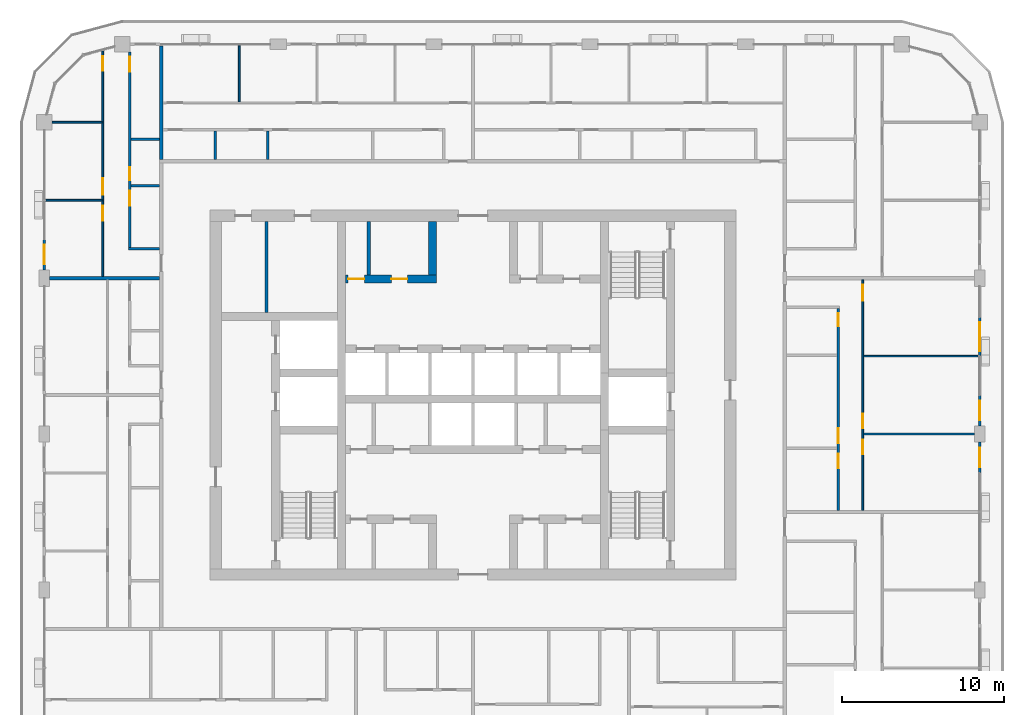
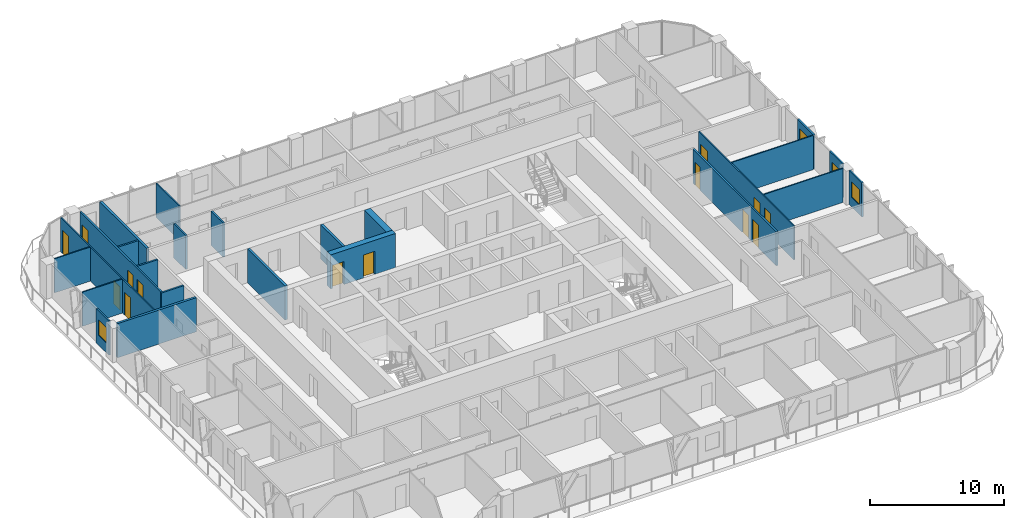
# One storey, part 13 of 22: 24 walls, 15 doors, 3 windows, 18 openings.
"""IFC4 building model written with IfcOpenShell, lengths in metres."""

import ifcopenshell
import ifcopenshell.guid

model = None  # the IFC model being written
_history = None  # IfcOwnerHistory: only IFC2X3 demands one
_inside = {}  # id of a spatial element -> (the spatial element, [elements in it])
_under = {}  # id of a project, library or spatial element -> (it, [spatial elements below it])
_declared = {}  # id of a project -> (the project, [libraries it declares])
_typed = {}  # id of a type object -> (the type object, [elements of that type])
_made_of = {}  # id of a material, layer set ... -> (it, [elements and type objects made of it])


def new_model(schema):
    """Start an empty IFC model of exactly this schema.

    Asked for "IFC4X3", IfcOpenShell would pick the latest addendum, in which some entities
    have other attributes; the version numbers below select the first issue.
    IFC2X3 requires an IfcOwnerHistory on every rooted entity: one is made here for all.
    """
    global model, _history
    if schema == "IFC4X3":
        model = ifcopenshell.file(schema_version=(4, 3, 0, 0))
    else:
        model = ifcopenshell.file(schema=schema)
    _inside.clear()
    _under.clear()
    _declared.clear()
    _typed.clear()
    _made_of.clear()
    _history = None
    if model.schema == "IFC2X3":
        org = make("IfcOrganization", Name="unknown")
        user = make(
            "IfcPersonAndOrganization",
            ThePerson=make("IfcPerson", FamilyName="unknown"),
            TheOrganization=org,
        )
        app = make(
            "IfcApplication",
            ApplicationDeveloper=org,
            Version="unknown",
            ApplicationFullName="unknown",
            ApplicationIdentifier="unknown",
        )
        _history = make(
            "IfcOwnerHistory",
            OwningUser=user,
            OwningApplication=app,
            ChangeAction="ADDED",
            CreationDate=0,
        )
    return model


def make(cls, **values):
    """One entity of the class cls with the attributes given. An attribute that is None is left unset."""
    return model.create_entity(
        cls, **{name: value for name, value in values.items() if value is not None}
    )


def rooted(cls, **values):
    """An entity with a GlobalId (a new one), such as an element, a storey or a relation."""
    return make(cls, GlobalId=ifcopenshell.guid.new(), OwnerHistory=_history, **values)


def si_unit(unit_type, name, prefix=None):
    """IfcSIUnit, for example si_unit("LENGTHUNIT", "METRE", prefix="MILLI")."""
    return make("IfcSIUnit", UnitType=unit_type, Prefix=prefix, Name=name)


def assignment(units):
    """IfcUnitAssignment: the units of a project."""
    return None if units is None else make("IfcUnitAssignment", Units=units)


def point(xyz):
    """IfcCartesianPoint."""
    return None if xyz is None else make("IfcCartesianPoint", Coordinates=xyz)


def direction(xyz):
    """IfcDirection."""
    return None if xyz is None else make("IfcDirection", DirectionRatios=xyz)


def frame(location, z_axis=None, x_axis=None):
    """IfcAxis2Placement3D, a coordinate frame: its origin and axes. An axis left out is left unset."""
    return make(
        "IfcAxis2Placement3D",
        Location=point(location),
        Axis=direction(z_axis),
        RefDirection=direction(x_axis),
    )


def frame_2d(location, x_axis=None):
    """IfcAxis2Placement2D, a coordinate frame in the plane: its origin and x axis."""
    return make(
        "IfcAxis2Placement2D", Location=point(location), RefDirection=direction(x_axis)
    )


def origin():
    """The frame at (0, 0, 0) with its axes left unset."""
    return frame((0.0, 0.0, 0.0))


def place(relative_to, where):
    """IfcLocalPlacement: puts the frame where relative to a parent placement (None: the world)."""
    return make(
        "IfcLocalPlacement", PlacementRelTo=relative_to, RelativePlacement=where
    )


def context(
    kind, dimensions, precision=None, world=None, true_north=None, identifier=None
):
    """IfcGeometricRepresentationContext, for example the 3D "Model" context."""
    return make(
        "IfcGeometricRepresentationContext",
        ContextIdentifier=identifier,
        ContextType=kind,
        CoordinateSpaceDimension=dimensions,
        Precision=precision,
        WorldCoordinateSystem=world,
        TrueNorth=true_north,
    )


def subcontext(parent, identifier, kind, view, scale=None):
    """IfcGeometricRepresentationSubContext, for example "Body" below "Model"."""
    return make(
        "IfcGeometricRepresentationSubContext",
        ContextIdentifier=identifier,
        ContextType=kind,
        ParentContext=parent,
        TargetScale=scale,
        TargetView=view,
    )


def project(units=None, contexts=None):
    """IfcProject with its units and contexts."""
    return rooted(
        "IfcProject",
        Name="project",
        RepresentationContexts=contexts,
        UnitsInContext=assignment(units),
    )


def spatial(cls, under=None, at=None, **own):
    """A site, building, storey or space (cls), placed at a placement, below another one or the project."""
    s = rooted(cls, ObjectPlacement=at, **own)
    if under is not None:
        _under.setdefault(under.id(), (under, []))[1].append(s)
    return s


def profile(cls, at=None, kind="AREA", **sizes):
    """A parametric profile (cls). Its sizes go by their IFC names, for example OverallWidth=200.0."""
    return make(cls, ProfileType=kind, Position=at, **sizes)


def rectangle(**sizes):
    """IfcRectangleProfileDef."""
    return profile("IfcRectangleProfileDef", **sizes)


def extrude(swept, where, along, depth):
    """IfcExtrudedAreaSolid: the profile swept, set in the frame where, extruded along a direction by depth."""
    return make(
        "IfcExtrudedAreaSolid",
        SweptArea=swept,
        Position=where,
        ExtrudedDirection=direction(along),
        Depth=depth,
    )


def shape(context_of_items, identifier, shape_type, items):
    """IfcShapeRepresentation: the items that make up one representation, for example the "Body"."""
    return make(
        "IfcShapeRepresentation",
        ContextOfItems=context_of_items,
        RepresentationIdentifier=identifier,
        RepresentationType=shape_type,
        Items=items,
    )


def material(Name=None, Category=None):
    """IfcMaterial."""
    return make("IfcMaterial", Name=Name, Category=Category)


def layer(
    of_material, thickness, ventilated=None, Name=None, Category=None, Priority=None
):
    """IfcMaterialLayer: one layer of a wall or slab, of a material (None: an air gap)."""
    return make(
        "IfcMaterialLayer",
        Material=of_material,
        LayerThickness=thickness,
        IsVentilated=ventilated,
        Name=Name,
        Category=Category,
        Priority=Priority,
    )


def layer_set(layers, Name=None):
    """IfcMaterialLayerSet."""
    return make("IfcMaterialLayerSet", MaterialLayers=layers, LayerSetName=Name)


def made_of(thing, what):
    """Note that an element or type object is made of a material, layer set ...; save() writes the relation."""
    if what is not None:
        _made_of.setdefault(what.id(), (what, []))[1].append(thing)
    return thing


def type_object(cls, material=None, **own):
    """A type object (cls), such as IfcWallType, which elements share."""
    return made_of(rooted(cls, **own), material)


def element(
    cls,
    number,
    at=None,
    inside=None,
    cuts=None,
    type_object=None,
    material=None,
    context=None,
    identifier="Body",
    shape_type=None,
    held_by="IfcProductDefinitionShape",
    body=None,
    shapes=None,
    **own,
):
    """One element of the class cls, such as IfcWall. Its Tag is "e" and its number.

    at: its placement. inside: the storey or other place that contains it. cuts: it is an
    opening in that element (IfcRelVoidsElement). A single representation is given by context,
    identifier, shape_type and body (its items); several are given by shapes. held_by: the class
    of the entity that holds the representations. save() writes the other relations.
    """
    e = rooted(cls, Tag="e%d" % number, ObjectPlacement=at, **own)
    if body is not None:
        shapes = [shape(context, identifier, shape_type, body)]
    if shapes is not None:
        e.Representation = make(held_by, Representations=shapes)
    if inside is not None:
        _inside.setdefault(inside.id(), (inside, []))[1].append(e)
    if cuts is not None:
        rooted(
            "IfcRelVoidsElement", RelatingBuildingElement=cuts, RelatedOpeningElement=e
        )
    if type_object is not None:
        _typed.setdefault(type_object.id(), (type_object, []))[1].append(e)
    return made_of(e, material)


def fill(opening, filler):
    """IfcRelFillsElement: the door or window that sits in an opening."""
    return rooted(
        "IfcRelFillsElement",
        RelatingOpeningElement=opening,
        RelatedBuildingElement=filler,
    )


def aggregate(whole, parts):
    """IfcRelAggregates: a whole, such as a stair, and the parts it consists of."""
    return rooted("IfcRelAggregates", RelatingObject=whole, RelatedObjects=parts)


def save(model, path):
    """Write the relations noted so far, then the file.

    IfcRelAggregates (storeys below a building ...), IfcRelContainedInSpatialStructure (elements
    in a storey), IfcRelDefinesByType, IfcRelAssociatesMaterial and IfcRelDeclares: one each for
    every whole, place, type object, material and project.
    """
    for whole, parts in _under.values():
        aggregate(whole, parts)
    for where, things in _inside.values():
        rooted(
            "IfcRelContainedInSpatialStructure",
            RelatedElements=things,
            RelatingStructure=where,
        )
    for kind, things in _typed.values():
        rooted("IfcRelDefinesByType", RelatedObjects=things, RelatingType=kind)
    for what, things in _made_of.values():
        rooted("IfcRelAssociatesMaterial", RelatedObjects=things, RelatingMaterial=what)
    for by, libraries in _declared.values():
        rooted("IfcRelDeclares", RelatingContext=by, RelatedDefinitions=libraries)
    model.write(path)


model = new_model("IFC4")

# Units and contexts
model_context = context("Model", 3, precision=1e-05, world=origin(), true_north=direction((0.0, 1.0)))
body_context = subcontext(model_context, "Body", "Model", "MODEL_VIEW")
ifc_project = project(units=[si_unit("LENGTHUNIT", "METRE"), si_unit("AREAUNIT", "SQUARE_METRE"), si_unit("VOLUMEUNIT", "CUBIC_METRE"), si_unit("PLANEANGLEUNIT", "RADIAN"), si_unit("MASSUNIT", "GRAM", prefix="KILO")], contexts=[model_context])

# Site, building, storey
site_placement = place(None, origin())
site = spatial("IfcSite", under=ifc_project, at=site_placement, CompositionType="ELEMENT")
building_placement = place(site_placement, origin())
building = spatial("IfcBuilding", under=site, at=building_placement, Name="Madar Terraces", CompositionType="ELEMENT")
storey_placement = place(building_placement, frame((0.0, 0.0, 199.89990234375)))
storey = spatial("IfcBuildingStorey", under=building, at=storey_placement, Name="L52", CompositionType="ELEMENT", Elevation=199.89990234375)

# Wall, openings, doors
ifc_material_1 = material(Name="Concrete C60/75", Category="concrete")
ifc_layer_1 = layer(ifc_material_1, 0.5)
ifc_layer_set_1 = layer_set([ifc_layer_1], Name="Concrete C60/75 (CIW4 RC wall 500)")
wall_type_1 = type_object("IfcWallType", Name="CIW4 RC wall 500", PredefinedType="SHEAR", material=ifc_layer_set_1)
wall_1_placement = place(storey_placement, frame((23.35009765625, 33.550048828125, 0.0), z_axis=(0.0, 0.0, 1.0), x_axis=(1.0, 0.0, 0.0)))
wall_1 = element("IfcWall", 1, at=wall_1_placement, inside=storey, type_object=wall_type_1, Name="CORE SHAFT WALL", PredefinedType="SHEAR", context=body_context, shape_type="SweptSolid", body=[
    extrude(rectangle(XDim=5.599853515625, YDim=0.5, at=frame_2d((2.7998046875, 0.0))), origin(), (0.0, 0.0, 1.0), 3.10009765625),
])
opening_1_placement = place(wall_1_placement, frame((0.1640625, 0.0, 0.0)))
opening_1 = element("IfcOpeningElement", 2, at=opening_1_placement, cuts=wall_1, Name="Opening KD2", PredefinedType="OPENING", context=body_context, shape_type="SweptSolid", body=[
    extrude(rectangle(XDim=1.0, YDim=2.10009765625, at=frame_2d((0.5, 1.050048828125))), frame((0.0, 0.260009765625, 0.0), z_axis=(0.0, -1.0, 0.0), x_axis=(1.0, 0.0, 0.0)), (0.0, 0.0, 1.0), 0.52001953125),
])
opening_2_placement = place(wall_1_placement, frame((2.81396484375, 0.0, 0.0)))
opening_2 = element("IfcOpeningElement", 3, at=opening_2_placement, cuts=wall_1, Name="Opening KD2", PredefinedType="OPENING", context=body_context, shape_type="SweptSolid", body=[
    extrude(rectangle(XDim=1.0, YDim=2.10009765625, at=frame_2d((0.5, 1.050048828125))), frame((0.0, 0.260009765625, 0.0), z_axis=(0.0, -1.0, 0.0), x_axis=(1.0, 0.0, 0.0)), (0.0, 0.0, 1.0), 0.52001953125),
])
ifc_material_2 = material(Name="Steel door leaf", Category="steel")
door_type_1 = type_object("IfcDoorType", Name="Service room door 1000 x 2100", OperationType="NOTDEFINED", PredefinedType="DOOR", material=ifc_material_2)
door_1_placement = place(opening_1_placement, frame((1.0, 0.0, 0.0), z_axis=(0.0, 0.0, 1.0), x_axis=(-1.0, 0.0, 0.0)))
door_1 = element("IfcDoor", 4, at=door_1_placement, inside=storey, type_object=door_type_1, Name="SERVICE ROOM DOOR", OperationType="SINGLE_SWING_LEFT", OverallHeight=2.10009765625, OverallWidth=1.0, PredefinedType="DOOR", context=body_context, shape_type="SweptSolid", body=[
    extrude(rectangle(XDim=1.0, YDim=2.10009765625, at=frame_2d((0.5, 1.050048828125))), frame((0.0, 0.02490234375, 0.0), z_axis=(0.0, -1.0, 0.0), x_axis=(1.0, 0.0, 0.0)), (0.0, 0.0, 1.0), 0.050048828125),
])
fill(opening_1, door_1)
door_2_placement = place(opening_2_placement, frame((1.0, 0.0, 0.0), z_axis=(0.0, 0.0, 1.0), x_axis=(-1.0, 0.0, 0.0)))
door_2 = element("IfcDoor", 5, at=door_2_placement, inside=storey, type_object=door_type_1, Name="SERVICE ROOM DOOR", OperationType="SINGLE_SWING_RIGHT", OverallHeight=2.10009765625, OverallWidth=1.0, PredefinedType="DOOR", context=body_context, shape_type="SweptSolid", body=[
    extrude(rectangle(XDim=1.0, YDim=2.10009765625, at=frame_2d((0.5, 1.050048828125))), frame((0.0, 0.02490234375, 0.0), z_axis=(0.0, -1.0, 0.0), x_axis=(1.0, 0.0, 0.0)), (0.0, 0.0, 1.0), 0.050048828125),
])
fill(opening_2, door_2)

# Walls
wall_2_placement = place(storey_placement, frame((28.699951171875, 33.800048828125, 0.0), z_axis=(0.0, 0.0, 1.0), x_axis=(0.0, 1.0, 0.0)))
element("IfcWall", 6, at=wall_2_placement, inside=storey, type_object=wall_type_1, Name="CORE SHAFT WALL", PredefinedType="SHEAR", context=body_context, shape_type="SweptSolid", body=[
    extrude(rectangle(XDim=3.300048828125, YDim=0.5, at=frame_2d((1.64990234375, 0.0))), origin(), (0.0, 0.0, 1.0), 3.10009765625),
])
ifc_material_3 = material(Name="Masonry blockwork", Category="masonry")
ifc_layer_2 = layer(ifc_material_3, 0.199951171875)
ifc_layer_set_2 = layer_set([ifc_layer_2], Name="Core partition 200 blockwork")
wall_type_2 = type_object("IfcWallType", Name="Core partition 200 blockwork", PredefinedType="PARTITIONING", material=ifc_layer_set_2)
wall_3_placement = place(storey_placement, frame((18.488525390625, 31.5, 0.0), z_axis=(0.0, 0.0, 1.0), x_axis=(0.0, 1.0, 0.0)))
element("IfcWall", 7, at=wall_3_placement, inside=storey, type_object=wall_type_2, Name="SERVICE ROOM PARTITION", PredefinedType="PARTITIONING", context=body_context, shape_type="SweptSolid", body=[
    extrude(rectangle(XDim=5.60009765625, YDim=0.199951171875, at=frame_2d((2.800048828125, 0.0))), origin(), (0.0, 0.0, 1.0), 3.10009765625),
])
wall_4_placement = place(storey_placement, frame((24.778076171875, 33.800048828125, 0.0), z_axis=(0.0, 0.0, 1.0), x_axis=(0.0, 1.0, 0.0)))
element("IfcWall", 8, at=wall_4_placement, inside=storey, type_object=wall_type_2, Name="SERVICE ROOM PARTITION", PredefinedType="PARTITIONING", context=body_context, shape_type="SweptSolid", body=[
    extrude(rectangle(XDim=3.300048828125, YDim=0.199951171875, at=frame_2d((1.64990234375, 0.0))), origin(), (0.0, 0.0, 1.0), 3.10009765625),
])

# Wall, opening, window
ifc_material_4 = material(Name="Aluminium composite panel, black, over insulated backing", Category="aluminium")
ifc_layer_3 = layer(ifc_material_4, 0.14990234375)
ifc_layer_set_3 = layer_set([ifc_layer_3], Name="Facade bay panel 150")
wall_type_3 = type_object("IfcWallType", Name="Facade bay panel 150", PredefinedType="SOLIDWALL", material=ifc_layer_set_3)
wall_5_placement = place(storey_placement, frame((62.39990234375, 21.60009765625, 0.0), z_axis=(0.0, 0.0, 1.0), x_axis=(0.0, 1.0, 0.0)))
wall_5 = element("IfcWall", 9, at=wall_5_placement, inside=storey, type_object=wall_type_3, Name="Facade bay panel", PredefinedType="SOLIDWALL", context=body_context, shape_type="SweptSolid", body=[
    extrude(rectangle(XDim=1.89990234375, YDim=0.14990234375, at=frame_2d((0.949951171875, 0.0))), origin(), (0.0, 0.0, 1.0), 3.10009765625),
])
opening_3_placement = place(wall_5_placement, frame((0.35009765625, 0.0, 0.89990234375)))
opening_3 = element("IfcOpeningElement", 10, at=opening_3_placement, cuts=wall_5, Name="Opening W1", PredefinedType="OPENING", context=body_context, shape_type="SweptSolid", body=[
    extrude(rectangle(XDim=1.199951171875, YDim=1.39990234375, at=frame_2d((0.60009765625, 0.699951171875))), frame((0.0, 0.0849609375, 0.0), z_axis=(0.0, -1.0, 0.0), x_axis=(1.0, 0.0, 0.0)), (0.0, 0.0, 1.0), 0.169921875),
])
ifc_material_5 = material(Name="Glass, clear, with black aluminium frame", Category="aluminium")
window_type = type_object("IfcWindowType", Name="Vent window 1200 x 1400", PartitioningType="SINGLE_PANEL", PredefinedType="WINDOW", material=ifc_material_5)
window_1_placement = place(opening_3_placement, origin())
window_1 = element("IfcWindow", 11, at=window_1_placement, inside=storey, type_object=window_type, Name="Operable vent window", OverallHeight=1.39990234375, OverallWidth=1.199951171875, PartitioningType="SINGLE_PANEL", PredefinedType="WINDOW", context=body_context, shape_type="SweptSolid", body=[
    extrude(rectangle(XDim=1.199951171875, YDim=1.39990234375, at=frame_2d((0.60009765625, 0.699951171875))), frame((0.0, 0.030029296875, 0.0), z_axis=(0.0, -1.0, 0.0), x_axis=(1.0, 0.0, 0.0)), (0.0, 0.0, 1.0), 0.06005859375),
])
fill(opening_3, window_1)

wall_6_placement = place(storey_placement, frame((62.39990234375, 24.5, 0.0), z_axis=(0.0, 0.0, 1.0), x_axis=(0.0, 1.0, 0.0)))
wall_6 = element("IfcWall", 12, at=wall_6_placement, inside=storey, type_object=wall_type_3, Name="Facade bay panel", PredefinedType="SOLIDWALL", context=body_context, shape_type="SweptSolid", body=[
    extrude(rectangle(XDim=1.89990234375, YDim=0.14990234375, at=frame_2d((0.949951171875, 0.0))), origin(), (0.0, 0.0, 1.0), 3.10009765625),
])
opening_4_placement = place(wall_6_placement, frame((0.35009765625, 0.0, 0.89990234375)))
opening_4 = element("IfcOpeningElement", 13, at=opening_4_placement, cuts=wall_6, Name="Opening W1", PredefinedType="OPENING", context=body_context, shape_type="SweptSolid", body=[
    extrude(rectangle(XDim=1.199951171875, YDim=1.39990234375, at=frame_2d((0.60009765625, 0.699951171875))), frame((0.0, 0.0849609375, 0.0), z_axis=(0.0, -1.0, 0.0), x_axis=(1.0, 0.0, 0.0)), (0.0, 0.0, 1.0), 0.169921875),
])
window_2_placement = place(opening_4_placement, origin())
window_2 = element("IfcWindow", 14, at=window_2_placement, inside=storey, type_object=window_type, Name="Operable vent window", OverallHeight=1.39990234375, OverallWidth=1.199951171875, PartitioningType="SINGLE_PANEL", PredefinedType="WINDOW", context=body_context, shape_type="SweptSolid", body=[
    extrude(rectangle(XDim=1.199951171875, YDim=1.39990234375, at=frame_2d((0.60009765625, 0.699951171875))), frame((0.0, 0.030029296875, 0.0), z_axis=(0.0, -1.0, 0.0), x_axis=(1.0, 0.0, 0.0)), (0.0, 0.0, 1.0), 0.06005859375),
])
fill(opening_4, window_2)

# Wall, opening, door
wall_7_placement = place(storey_placement, frame((62.39990234375, 28.800048828125, 0.0), z_axis=(0.0, 0.0, 1.0), x_axis=(0.0, 1.0, 0.0)))
wall_7 = element("IfcWall", 15, at=wall_7_placement, inside=storey, type_object=wall_type_3, Name="Facade bay panel", PredefinedType="SOLIDWALL", context=body_context, shape_type="SweptSolid", body=[
    extrude(rectangle(XDim=2.39990234375, YDim=0.14990234375, at=frame_2d((1.199951171875, 0.0))), origin(), (0.0, 0.0, 1.0), 3.10009765625),
])
opening_5_placement = place(wall_7_placement, frame((0.300048828125, 0.0, 0.0)))
opening_5 = element("IfcOpeningElement", 16, at=opening_5_placement, cuts=wall_7, Name="Opening ED1", PredefinedType="OPENING", context=body_context, shape_type="SweptSolid", body=[
    extrude(rectangle(XDim=1.800048828125, YDim=2.39990234375, at=frame_2d((0.89990234375, 1.199951171875))), frame((0.0, 0.0849609375, 0.0), z_axis=(0.0, -1.0, 0.0), x_axis=(1.0, 0.0, 0.0)), (0.0, 0.0, 1.0), 0.169921875),
])
ifc_material_6 = material(Name="Glass, clear, with black aluminium frame", Category="aluminium")
door_type_2 = type_object("IfcDoorType", Name="Balcony and terrace sliding door 1800 x 2400", OperationType="SLIDING_TO_LEFT", PredefinedType="DOOR", material=ifc_material_6)
door_3_placement = place(opening_5_placement, origin())
door_3 = element("IfcDoor", 17, at=door_3_placement, inside=storey, type_object=door_type_2, Name="Balcony door", OperationType="SLIDING_TO_RIGHT", OverallHeight=2.39990234375, OverallWidth=1.800048828125, PredefinedType="DOOR", context=body_context, shape_type="SweptSolid", body=[
    extrude(rectangle(XDim=1.800048828125, YDim=2.39990234375, at=frame_2d((0.89990234375, 1.199951171875))), frame((0.0, 0.02490234375, 0.0), z_axis=(0.0, -1.0, 0.0), x_axis=(1.0, 0.0, 0.0)), (0.0, 0.0, 1.0), 0.050048828125),
])
fill(opening_5, door_3)

# Wall, opening, window
wall_8_placement = place(storey_placement, frame((4.800048828125, 36.0, 0.0), z_axis=(0.0, 0.0, 1.0), x_axis=(0.0, -1.0, 0.0)))
wall_8 = element("IfcWall", 18, at=wall_8_placement, inside=storey, type_object=wall_type_3, Name="Facade bay panel", PredefinedType="SOLIDWALL", context=body_context, shape_type="SweptSolid", body=[
    extrude(rectangle(XDim=1.89990234375, YDim=0.14990234375, at=frame_2d((0.949951171875, 0.0))), origin(), (0.0, 0.0, 1.0), 3.10009765625),
])
opening_6_placement = place(wall_8_placement, frame((0.35009765625, 0.0, 0.89990234375)))
opening_6 = element("IfcOpeningElement", 19, at=opening_6_placement, cuts=wall_8, Name="Opening W1", PredefinedType="OPENING", context=body_context, shape_type="SweptSolid", body=[
    extrude(rectangle(XDim=1.199951171875, YDim=1.39990234375, at=frame_2d((0.60009765625, 0.699951171875))), frame((0.0, 0.0849609375, 0.0), z_axis=(0.0, -1.0, 0.0), x_axis=(1.0, 0.0, 0.0)), (0.0, 0.0, 1.0), 0.169921875),
])
window_3_placement = place(opening_6_placement, origin())
window_3 = element("IfcWindow", 20, at=window_3_placement, inside=storey, type_object=window_type, Name="Operable vent window", OverallHeight=1.39990234375, OverallWidth=1.199951171875, PartitioningType="SINGLE_PANEL", PredefinedType="WINDOW", context=body_context, shape_type="SweptSolid", body=[
    extrude(rectangle(XDim=1.199951171875, YDim=1.39990234375, at=frame_2d((0.60009765625, 0.699951171875))), frame((0.0, 0.030029296875, 0.0), z_axis=(0.0, -1.0, 0.0), x_axis=(1.0, 0.0, 0.0)), (0.0, 0.0, 1.0), 0.06005859375),
])
fill(opening_6, window_3)

# Walls
ifc_material_7 = material(Name="Gypsum board on steel studs", Category="steel")
ifc_layer_4 = layer(ifc_material_7, 0.10009765625)
ifc_layer_set_4 = layer_set([ifc_layer_4], Name="Flat partition 100")
wall_type_4 = type_object("IfcWallType", Name="Flat partition 100", PredefinedType="PARTITIONING", material=ifc_layer_set_4)
wall_9_placement = place(storey_placement, frame((55.25, 28.800048828125, 0.0), z_axis=(0.0, 0.0, 1.0), x_axis=(1.0, 0.0, 0.0)))
element("IfcWall", 21, at=wall_9_placement, inside=storey, type_object=wall_type_4, Name="Flat partition 100", PredefinedType="PARTITIONING", context=body_context, shape_type="SweptSolid", body=[
    extrude(rectangle(XDim=7.050048828125, YDim=0.10009765625, at=frame_2d((3.52490234375, 0.0))), origin(), (0.0, 0.0, 1.0), 3.10009765625),
])
wall_10_placement = place(storey_placement, frame((55.25, 24.0, 0.0), z_axis=(0.0, 0.0, 1.0), x_axis=(1.0, 0.0, 0.0)))
element("IfcWall", 22, at=wall_10_placement, inside=storey, type_object=wall_type_4, Name="Flat partition 100", PredefinedType="PARTITIONING", context=body_context, shape_type="SweptSolid", body=[
    extrude(rectangle(XDim=6.824951171875, YDim=0.10009765625, at=frame_2d((3.41259765625, 0.0))), origin(), (0.0, 0.0, 1.0), 3.10009765625),
])

# Wall, openings, doors
wall_11_placement = place(storey_placement, frame((55.199951171875, 33.5, 0.0), z_axis=(0.0, 0.0, 1.0), x_axis=(0.0, -1.0, 0.0)))
wall_11 = element("IfcWall", 23, at=wall_11_placement, inside=storey, type_object=wall_type_4, Name="Flat partition 100", PredefinedType="PARTITIONING", context=body_context, shape_type="SweptSolid", body=[
    extrude(rectangle(XDim=14.199951171875, YDim=0.10009765625, at=frame_2d((7.10009765625, 0.0))), origin(), (0.0, 0.0, 1.0), 3.10009765625),
])
opening_7_placement = place(wall_11_placement, frame((0.300048828125, 0.0, 0.0)))
opening_7 = element("IfcOpeningElement", 24, at=opening_7_placement, cuts=wall_11, Name="Opening D3", PredefinedType="OPENING", context=body_context, shape_type="SweptSolid", body=[
    extrude(rectangle(XDim=1.0, YDim=2.10009765625, at=frame_2d((0.5, 1.050048828125))), frame((0.0, 0.06005859375, 0.0), z_axis=(0.0, -1.0, 0.0), x_axis=(1.0, 0.0, 0.0)), (0.0, 0.0, 1.0), 0.1201171875),
])
opening_8_placement = place(wall_11_placement, frame((8.25, 0.0, 0.0)))
opening_8 = element("IfcOpeningElement", 25, at=opening_8_placement, cuts=wall_11, Name="Opening D2", PredefinedType="OPENING", context=body_context, shape_type="SweptSolid", body=[
    extrude(rectangle(XDim=0.89990234375, YDim=2.10009765625, at=frame_2d((0.449951171875, 1.050048828125))), frame((0.0, 0.06005859375, 0.0), z_axis=(0.0, -1.0, 0.0), x_axis=(1.0, 0.0, 0.0)), (0.0, 0.0, 1.0), 0.1201171875),
])
opening_9_placement = place(wall_11_placement, frame((9.85009765625, 0.0, 0.0)))
opening_9 = element("IfcOpeningElement", 26, at=opening_9_placement, cuts=wall_11, Name="Opening D2", PredefinedType="OPENING", context=body_context, shape_type="SweptSolid", body=[
    extrude(rectangle(XDim=0.89990234375, YDim=2.10009765625, at=frame_2d((0.449951171875, 1.050048828125))), frame((0.0, 0.06005859375, 0.0), z_axis=(0.0, -1.0, 0.0), x_axis=(1.0, 0.0, 0.0)), (0.0, 0.0, 1.0), 0.1201171875),
])
ifc_material_8 = material(Name="Timber door leaf", Category="wood")
door_type_3 = type_object("IfcDoorType", Name="Flat living room door 1000", OperationType="NOTDEFINED", PredefinedType="DOOR", material=ifc_material_8)
door_4_placement = place(opening_7_placement, origin())
door_4 = element("IfcDoor", 27, at=door_4_placement, inside=storey, type_object=door_type_3, Name="Flat living room door 1000", OperationType="SINGLE_SWING_LEFT", OverallHeight=2.10009765625, OverallWidth=1.0, PredefinedType="DOOR", context=body_context, shape_type="SweptSolid", body=[
    extrude(rectangle(XDim=1.0, YDim=2.10009765625, at=frame_2d((0.5, 1.050048828125))), frame((0.0, 0.02490234375, 0.0), z_axis=(0.0, -1.0, 0.0), x_axis=(1.0, 0.0, 0.0)), (0.0, 0.0, 1.0), 0.050048828125),
])
fill(opening_7, door_4)
ifc_material_9 = material(Name="Timber door leaf", Category="wood")
door_type_4 = type_object("IfcDoorType", Name="Flat room door 900", OperationType="NOTDEFINED", PredefinedType="DOOR", material=ifc_material_9)
door_5_placement = place(opening_8_placement, origin())
door_5 = element("IfcDoor", 28, at=door_5_placement, inside=storey, type_object=door_type_4, Name="Flat room door 900", OperationType="SINGLE_SWING_RIGHT", OverallHeight=2.10009765625, OverallWidth=0.89990234375, PredefinedType="DOOR", context=body_context, shape_type="SweptSolid", body=[
    extrude(rectangle(XDim=0.89990234375, YDim=2.10009765625, at=frame_2d((0.449951171875, 1.050048828125))), frame((0.0, 0.02490234375, 0.0), z_axis=(0.0, -1.0, 0.0), x_axis=(1.0, 0.0, 0.0)), (0.0, 0.0, 1.0), 0.050048828125),
])
fill(opening_8, door_5)
door_6_placement = place(opening_9_placement, origin())
door_6 = element("IfcDoor", 29, at=door_6_placement, inside=storey, type_object=door_type_4, Name="Flat room door 900", OperationType="SINGLE_SWING_LEFT", OverallHeight=2.10009765625, OverallWidth=0.89990234375, PredefinedType="DOOR", context=body_context, shape_type="SweptSolid", body=[
    extrude(rectangle(XDim=0.89990234375, YDim=2.10009765625, at=frame_2d((0.449951171875, 1.050048828125))), frame((0.0, 0.02490234375, 0.0), z_axis=(0.0, -1.0, 0.0), x_axis=(1.0, 0.0, 0.0)), (0.0, 0.0, 1.0), 0.050048828125),
])
fill(opening_9, door_6)

# Walls
wall_12_placement = place(storey_placement, frame((16.800048828125, 44.449951171875, 0.0), z_axis=(0.0, 0.0, 1.0), x_axis=(0.0, 1.0, 0.0)))
element("IfcWall", 30, at=wall_12_placement, inside=storey, type_object=wall_type_4, Name="Flat partition 100", PredefinedType="PARTITIONING", context=body_context, shape_type="SweptSolid", body=[
    extrude(rectangle(XDim=3.449951171875, YDim=0.10009765625, at=frame_2d((1.72509765625, 0.0))), origin(), (0.0, 0.0, 1.0), 3.10009765625),
])
wall_13_placement = place(storey_placement, frame((8.35009765625, 38.39990234375, 0.0), z_axis=(0.0, 0.0, 1.0), x_axis=(-1.0, 0.0, 0.0)))
element("IfcWall", 31, at=wall_13_placement, inside=storey, type_object=wall_type_4, Name="Flat partition 100", PredefinedType="PARTITIONING", context=body_context, shape_type="SweptSolid", body=[
    extrude(rectangle(XDim=3.4501953125, YDim=0.10009765625, at=frame_2d((1.72509765625, 0.0))), origin(), (0.0, 0.0, 1.0), 3.10009765625),
])
wall_14_placement = place(storey_placement, frame((8.35009765625, 43.199951171875, 0.0), z_axis=(0.0, 0.0, 1.0), x_axis=(-1.0, 0.0, 0.0)))
element("IfcWall", 32, at=wall_14_placement, inside=storey, type_object=wall_type_4, Name="Flat partition 100", PredefinedType="PARTITIONING", context=body_context, shape_type="SweptSolid", body=[
    extrude(rectangle(XDim=3.0751953125, YDim=0.10009765625, at=frame_2d((1.53759765625, 0.0))), origin(), (0.0, 0.0, 1.0), 3.10009765625),
])

# Wall, openings, doors
wall_15_placement = place(storey_placement, frame((8.39990234375, 33.699951171875, 0.0), z_axis=(0.0, 0.0, 1.0), x_axis=(0.0, 1.0, 0.0)))
wall_15 = element("IfcWall", 33, at=wall_15_placement, inside=storey, type_object=wall_type_4, Name="Flat partition 100", PredefinedType="PARTITIONING", context=body_context, shape_type="SweptSolid", body=[
    extrude(rectangle(XDim=13.878662109375, YDim=0.10009765625, at=frame_2d((6.939453125, 0.0))), origin(), (0.0, 0.0, 1.0), 3.10009765625),
])
opening_10_placement = place(wall_15_placement, frame((3.449951171875, 0.0, 0.0)))
opening_10 = element("IfcOpeningElement", 34, at=opening_10_placement, cuts=wall_15, Name="Opening D2", PredefinedType="OPENING", context=body_context, shape_type="SweptSolid", body=[
    extrude(rectangle(XDim=0.89990234375, YDim=2.10009765625, at=frame_2d((0.449951171875, 1.050048828125))), frame((0.0, 0.06005859375, 0.0), z_axis=(0.0, -1.0, 0.0), x_axis=(1.0, 0.0, 0.0)), (0.0, 0.0, 1.0), 0.1201171875),
])
opening_11_placement = place(wall_15_placement, frame((5.050048828125, 0.0, 0.0)))
opening_11 = element("IfcOpeningElement", 35, at=opening_11_placement, cuts=wall_15, Name="Opening D3", PredefinedType="OPENING", context=body_context, shape_type="SweptSolid", body=[
    extrude(rectangle(XDim=1.0, YDim=2.10009765625, at=frame_2d((0.5, 1.050048828125))), frame((0.0, 0.06005859375, 0.0), z_axis=(0.0, -1.0, 0.0), x_axis=(1.0, 0.0, 0.0)), (0.0, 0.0, 1.0), 0.1201171875),
])
opening_12_placement = place(wall_15_placement, frame((12.678466796875, 0.0, 0.0)))
opening_12 = element("IfcOpeningElement", 36, at=opening_12_placement, cuts=wall_15, Name="Opening D2", PredefinedType="OPENING", context=body_context, shape_type="SweptSolid", body=[
    extrude(rectangle(XDim=0.89990234375, YDim=2.10009765625, at=frame_2d((0.449951171875, 1.050048828125))), frame((0.0, 0.06005859375, 0.0), z_axis=(0.0, -1.0, 0.0), x_axis=(1.0, 0.0, 0.0)), (0.0, 0.0, 1.0), 0.1201171875),
])
door_7_placement = place(opening_11_placement, origin())
door_7 = element("IfcDoor", 37, at=door_7_placement, inside=storey, type_object=door_type_3, Name="Flat living room door 1000", OperationType="SINGLE_SWING_LEFT", OverallHeight=2.10009765625, OverallWidth=1.0, PredefinedType="DOOR", context=body_context, shape_type="SweptSolid", body=[
    extrude(rectangle(XDim=1.0, YDim=2.10009765625, at=frame_2d((0.5, 1.050048828125))), frame((0.0, 0.02490234375, 0.0), z_axis=(0.0, -1.0, 0.0), x_axis=(1.0, 0.0, 0.0)), (0.0, 0.0, 1.0), 0.050048828125),
])
fill(opening_11, door_7)
door_8_placement = place(opening_10_placement, origin())
door_8 = element("IfcDoor", 38, at=door_8_placement, inside=storey, type_object=door_type_4, Name="Flat room door 900", OperationType="SINGLE_SWING_RIGHT", OverallHeight=2.10009765625, OverallWidth=0.89990234375, PredefinedType="DOOR", context=body_context, shape_type="SweptSolid", body=[
    extrude(rectangle(XDim=0.89990234375, YDim=2.10009765625, at=frame_2d((0.449951171875, 1.050048828125))), frame((0.0, 0.02490234375, 0.0), z_axis=(0.0, -1.0, 0.0), x_axis=(1.0, 0.0, 0.0)), (0.0, 0.0, 1.0), 0.050048828125),
])
fill(opening_10, door_8)
door_9_placement = place(opening_12_placement, origin())
door_9 = element("IfcDoor", 39, at=door_9_placement, inside=storey, type_object=door_type_4, Name="Flat room door 900", OperationType="SINGLE_SWING_RIGHT", OverallHeight=2.10009765625, OverallWidth=0.89990234375, PredefinedType="DOOR", context=body_context, shape_type="SweptSolid", body=[
    extrude(rectangle(XDim=0.89990234375, YDim=2.10009765625, at=frame_2d((0.449951171875, 1.050048828125))), frame((0.0, 0.02490234375, 0.0), z_axis=(0.0, -1.0, 0.0), x_axis=(1.0, 0.0, 0.0)), (0.0, 0.0, 1.0), 0.050048828125),
])
fill(opening_12, door_9)

# Walls
ifc_material_10 = material(Name="Lightweight blockwork", Category="masonry")
ifc_layer_5 = layer(ifc_material_10, 0.199951171875)
ifc_layer_set_5 = layer_set([ifc_layer_5], Name="Flat party and entrance wall 200")
wall_type_5 = type_object("IfcWallType", Name="Flat party and entrance wall 200", PredefinedType="PARTITIONING", material=ifc_layer_set_5)
wall_16_placement = place(storey_placement, frame((12.0, 47.89990234375, 0.0), z_axis=(0.0, 0.0, 1.0), x_axis=(0.0, -1.0, 0.0)))
element("IfcWall", 40, at=wall_16_placement, inside=storey, type_object=wall_type_5, Name="Flat party and entrance wall 200", PredefinedType="PARTITIONING", context=body_context, shape_type="SweptSolid", body=[
    extrude(rectangle(XDim=7.0, YDim=0.199951171875, at=frame_2d((3.5, 0.0))), origin(), (0.0, 0.0, 1.0), 3.10009765625),
])
wall_17_placement = place(storey_placement, frame((5.125, 33.60009765625, 0.0), z_axis=(0.0, 0.0, 1.0), x_axis=(1.0, 0.0, 0.0)))
element("IfcWall", 41, at=wall_17_placement, inside=storey, type_object=wall_type_5, Name="Flat party and entrance wall 200", PredefinedType="PARTITIONING", context=body_context, shape_type="SweptSolid", body=[
    extrude(rectangle(XDim=6.77490234375, YDim=0.199951171875, at=frame_2d((3.387451171875, 0.0))), origin(), (0.0, 0.0, 1.0), 3.10009765625),
])

# Wall, openings, doors
ifc_material_11 = material(Name="Lightweight blockwork", Category="masonry")
ifc_layer_6 = layer(ifc_material_11, 0.14990234375)
ifc_layer_set_6 = layer_set([ifc_layer_6], Name="Flat wet-room partition 150")
wall_type_6 = type_object("IfcWallType", Name="Flat wet-room partition 150", PredefinedType="PARTITIONING", material=ifc_layer_set_6)
wall_18_placement = place(storey_placement, frame((53.699951171875, 19.300048828125, 0.0), z_axis=(0.0, 0.0, 1.0), x_axis=(0.0, 1.0, 0.0)))
wall_18 = element("IfcWall", 42, at=wall_18_placement, inside=storey, type_object=wall_type_6, Name="Flat wet-room partition 150", PredefinedType="PARTITIONING", context=body_context, shape_type="SweptSolid", body=[
    extrude(rectangle(XDim=12.425048828125, YDim=0.14990234375, at=frame_2d((6.21240234375, 0.0))), origin(), (0.0, 0.0, 1.0), 3.10009765625),
])
opening_13_placement = place(wall_18_placement, frame((11.324951171875, 0.0, 0.0)))
opening_13 = element("IfcOpeningElement", 43, at=opening_13_placement, cuts=wall_18, Name="Opening D4", PredefinedType="OPENING", context=body_context, shape_type="SweptSolid", body=[
    extrude(rectangle(XDim=0.800048828125, YDim=2.10009765625, at=frame_2d((0.39990234375, 1.050048828125))), frame((0.0, 0.0849609375, 0.0), z_axis=(0.0, -1.0, 0.0), x_axis=(1.0, 0.0, 0.0)), (0.0, 0.0, 1.0), 0.169921875),
])
opening_14_placement = place(wall_18_placement, frame((4.148193359375, 0.0, 0.0)))
opening_14 = element("IfcOpeningElement", 44, at=opening_14_placement, cuts=wall_18, Name="Opening D2", PredefinedType="OPENING", context=body_context, shape_type="SweptSolid", body=[
    extrude(rectangle(XDim=0.89990234375, YDim=2.10009765625, at=frame_2d((0.449951171875, 1.050048828125))), frame((0.0, 0.0849609375, 0.0), z_axis=(0.0, -1.0, 0.0), x_axis=(1.0, 0.0, 0.0)), (0.0, 0.0, 1.0), 0.169921875),
])
opening_15_placement = place(wall_18_placement, frame((2.59814453125, 0.0, 0.0)))
opening_15 = element("IfcOpeningElement", 45, at=opening_15_placement, cuts=wall_18, Name="Opening D5", PredefinedType="OPENING", context=body_context, shape_type="SweptSolid", body=[
    extrude(rectangle(XDim=0.89990234375, YDim=2.10009765625, at=frame_2d((0.449951171875, 1.050048828125))), frame((0.0, 0.0849609375, 0.0), z_axis=(0.0, -1.0, 0.0), x_axis=(1.0, 0.0, 0.0)), (0.0, 0.0, 1.0), 0.169921875),
])
ifc_material_12 = material(Name="Timber door leaf", Category="wood")
door_type_5 = type_object("IfcDoorType", Name="Flat accessible bathroom door 900", OperationType="NOTDEFINED", PredefinedType="DOOR", material=ifc_material_12)
door_10_placement = place(opening_15_placement, origin())
door_10 = element("IfcDoor", 46, at=door_10_placement, inside=storey, type_object=door_type_5, Name="Flat accessible bathroom door 900", OperationType="SINGLE_SWING_RIGHT", OverallHeight=2.10009765625, OverallWidth=0.89990234375, PredefinedType="DOOR", context=body_context, shape_type="SweptSolid", body=[
    extrude(rectangle(XDim=0.89990234375, YDim=2.10009765625, at=frame_2d((0.449951171875, 1.050048828125))), frame((0.0, 0.02490234375, 0.0), z_axis=(0.0, -1.0, 0.0), x_axis=(1.0, 0.0, 0.0)), (0.0, 0.0, 1.0), 0.050048828125),
])
fill(opening_15, door_10)
ifc_material_13 = material(Name="Timber door leaf", Category="wood")
door_type_6 = type_object("IfcDoorType", Name="Flat bathroom door 800", OperationType="NOTDEFINED", PredefinedType="DOOR", material=ifc_material_13)
door_11_placement = place(opening_13_placement, origin())
door_11 = element("IfcDoor", 47, at=door_11_placement, inside=storey, type_object=door_type_6, Name="Flat bathroom door 800", OperationType="SINGLE_SWING_RIGHT", OverallHeight=2.10009765625, OverallWidth=0.800048828125, PredefinedType="DOOR", context=body_context, shape_type="SweptSolid", body=[
    extrude(rectangle(XDim=0.800048828125, YDim=2.10009765625, at=frame_2d((0.39990234375, 1.050048828125))), frame((0.0, 0.02490234375, 0.0), z_axis=(0.0, -1.0, 0.0), x_axis=(1.0, 0.0, 0.0)), (0.0, 0.0, 1.0), 0.050048828125),
])
fill(opening_13, door_11)
door_12_placement = place(opening_14_placement, origin())
door_12 = element("IfcDoor", 48, at=door_12_placement, inside=storey, type_object=door_type_4, Name="Flat room door 900", OperationType="SINGLE_SWING_LEFT", OverallHeight=2.10009765625, OverallWidth=0.89990234375, PredefinedType="DOOR", context=body_context, shape_type="SweptSolid", body=[
    extrude(rectangle(XDim=0.89990234375, YDim=2.10009765625, at=frame_2d((0.449951171875, 1.050048828125))), frame((0.0, 0.02490234375, 0.0), z_axis=(0.0, -1.0, 0.0), x_axis=(1.0, 0.0, 0.0)), (0.0, 0.0, 1.0), 0.050048828125),
])
fill(opening_14, door_12)

# Walls
for number, where, z_axis, x_axis, name in (
    (49, (18.559326171875, 40.89990234375, 0.0), (0.0, 0.0, 1.0), (0.0, 1.0, 0.0), "Flat wet-room partition 150"),
    (50, (15.32958984375, 40.89990234375, 0.0), (0.0, 0.0, 1.0), (0.0, 1.0, 0.0), "Flat wet-room partition 150"),
):
    element("IfcWall", number, at=place(storey_placement, frame(where, z_axis=z_axis, x_axis=x_axis)), inside=storey, type_object=wall_type_6, Name=name, PredefinedType="PARTITIONING", context=body_context, shape_type="SweptSolid", body=[
        extrude(rectangle(XDim=1.775146484375, YDim=0.14990234375, at=frame_2d((0.8876953125, 0.0))), origin(), (0.0, 0.0, 1.0), 3.10009765625),
    ])
for number, where, z_axis, x_axis, name in (
    (51, (11.89990234375, 39.298095703125, 0.0), (0.0, 0.0, 1.0), (-1.0, 0.0, 0.0), "Flat wet-room partition 150"),
    (52, (11.89990234375, 42.165283203125, 0.0), (0.0, 0.0, 1.0), (-1.0, 0.0, 0.0), "Flat wet-room partition 150"),
):
    element("IfcWall", number, at=place(storey_placement, frame(where, z_axis=z_axis, x_axis=x_axis)), inside=storey, type_object=wall_type_6, Name=name, PredefinedType="PARTITIONING", context=body_context, shape_type="SweptSolid", body=[
        extrude(rectangle(XDim=1.77490234375, YDim=0.14990234375, at=frame_2d((0.887451171875, 0.0))), origin(), (0.0, 0.0, 1.0), 3.10009765625),
    ])
wall_19_placement = place(storey_placement, frame((11.89990234375, 35.39990234375, 0.0), z_axis=(0.0, 0.0, 1.0), x_axis=(-1.0, 0.0, 0.0)))
element("IfcWall", 53, at=wall_19_placement, inside=storey, type_object=wall_type_6, Name="Flat wet-room partition 150", PredefinedType="PARTITIONING", context=body_context, shape_type="SweptSolid", body=[
    extrude(rectangle(XDim=1.9248046875, YDim=0.14990234375, at=frame_2d((0.96240234375, 0.0))), origin(), (0.0, 0.0, 1.0), 3.10009765625),
])

# Wall, openings, doors
wall_20_placement = place(storey_placement, frame((10.050048828125, 47.52490234375, 0.0), z_axis=(0.0, 0.0, 1.0), x_axis=(0.0, -1.0, 0.0)))
wall_20 = element("IfcWall", 54, at=wall_20_placement, inside=storey, type_object=wall_type_6, Name="Flat wet-room partition 150", PredefinedType="PARTITIONING", context=body_context, shape_type="SweptSolid", body=[
    extrude(rectangle(XDim=12.0498046875, YDim=0.14990234375, at=frame_2d((6.02490234375, 0.0))), origin(), (0.0, 0.0, 1.0), 3.10009765625),
])
opening_16_placement = place(wall_20_placement, frame((8.552001953125, 0.0, 0.0)))
opening_16 = element("IfcOpeningElement", 55, at=opening_16_placement, cuts=wall_20, Name="Opening D5", PredefinedType="OPENING", context=body_context, shape_type="SweptSolid", body=[
    extrude(rectangle(XDim=0.89990234375, YDim=2.10009765625, at=frame_2d((0.449951171875, 1.050048828125))), frame((0.0, 0.0849609375, 0.0), z_axis=(0.0, -1.0, 0.0), x_axis=(1.0, 0.0, 0.0)), (0.0, 0.0, 1.0), 0.169921875),
])
opening_17_placement = place(wall_20_placement, frame((7.101806640625, 0.0, 0.0)))
opening_17 = element("IfcOpeningElement", 56, at=opening_17_placement, cuts=wall_20, Name="Opening D4", PredefinedType="OPENING", context=body_context, shape_type="SweptSolid", body=[
    extrude(rectangle(XDim=0.800048828125, YDim=2.10009765625, at=frame_2d((0.39990234375, 1.050048828125))), frame((0.0, 0.0849609375, 0.0), z_axis=(0.0, -1.0, 0.0), x_axis=(1.0, 0.0, 0.0)), (0.0, 0.0, 1.0), 0.169921875),
])
opening_18_placement = place(wall_20_placement, frame((0.300048828125, 0.0, 0.0)))
opening_18 = element("IfcOpeningElement", 57, at=opening_18_placement, cuts=wall_20, Name="Opening D2", PredefinedType="OPENING", context=body_context, shape_type="SweptSolid", body=[
    extrude(rectangle(XDim=0.89990234375, YDim=2.10009765625, at=frame_2d((0.449951171875, 1.050048828125))), frame((0.0, 0.0849609375, 0.0), z_axis=(0.0, -1.0, 0.0), x_axis=(1.0, 0.0, 0.0)), (0.0, 0.0, 1.0), 0.169921875),
])
door_13_placement = place(opening_16_placement, origin())
door_13 = element("IfcDoor", 58, at=door_13_placement, inside=storey, type_object=door_type_5, Name="Flat accessible bathroom door 900", OperationType="SINGLE_SWING_LEFT", OverallHeight=2.10009765625, OverallWidth=0.89990234375, PredefinedType="DOOR", context=body_context, shape_type="SweptSolid", body=[
    extrude(rectangle(XDim=0.89990234375, YDim=2.10009765625, at=frame_2d((0.449951171875, 1.050048828125))), frame((0.0, 0.02490234375, 0.0), z_axis=(0.0, -1.0, 0.0), x_axis=(1.0, 0.0, 0.0)), (0.0, 0.0, 1.0), 0.050048828125),
])
fill(opening_16, door_13)
door_14_placement = place(opening_17_placement, origin())
door_14 = element("IfcDoor", 59, at=door_14_placement, inside=storey, type_object=door_type_6, Name="Flat bathroom door 800", OperationType="SINGLE_SWING_RIGHT", OverallHeight=2.10009765625, OverallWidth=0.800048828125, PredefinedType="DOOR", context=body_context, shape_type="SweptSolid", body=[
    extrude(rectangle(XDim=0.800048828125, YDim=2.10009765625, at=frame_2d((0.39990234375, 1.050048828125))), frame((0.0, 0.02490234375, 0.0), z_axis=(0.0, -1.0, 0.0), x_axis=(1.0, 0.0, 0.0)), (0.0, 0.0, 1.0), 0.050048828125),
])
fill(opening_17, door_14)
door_15_placement = place(opening_18_placement, origin())
door_15 = element("IfcDoor", 60, at=door_15_placement, inside=storey, type_object=door_type_4, Name="Flat room door 900", OperationType="SINGLE_SWING_LEFT", OverallHeight=2.10009765625, OverallWidth=0.89990234375, PredefinedType="DOOR", context=body_context, shape_type="SweptSolid", body=[
    extrude(rectangle(XDim=0.89990234375, YDim=2.10009765625, at=frame_2d((0.449951171875, 1.050048828125))), frame((0.0, 0.02490234375, 0.0), z_axis=(0.0, -1.0, 0.0), x_axis=(1.0, 0.0, 0.0)), (0.0, 0.0, 1.0), 0.050048828125),
])
fill(opening_18, door_15)

save(model, "model.ifc")
